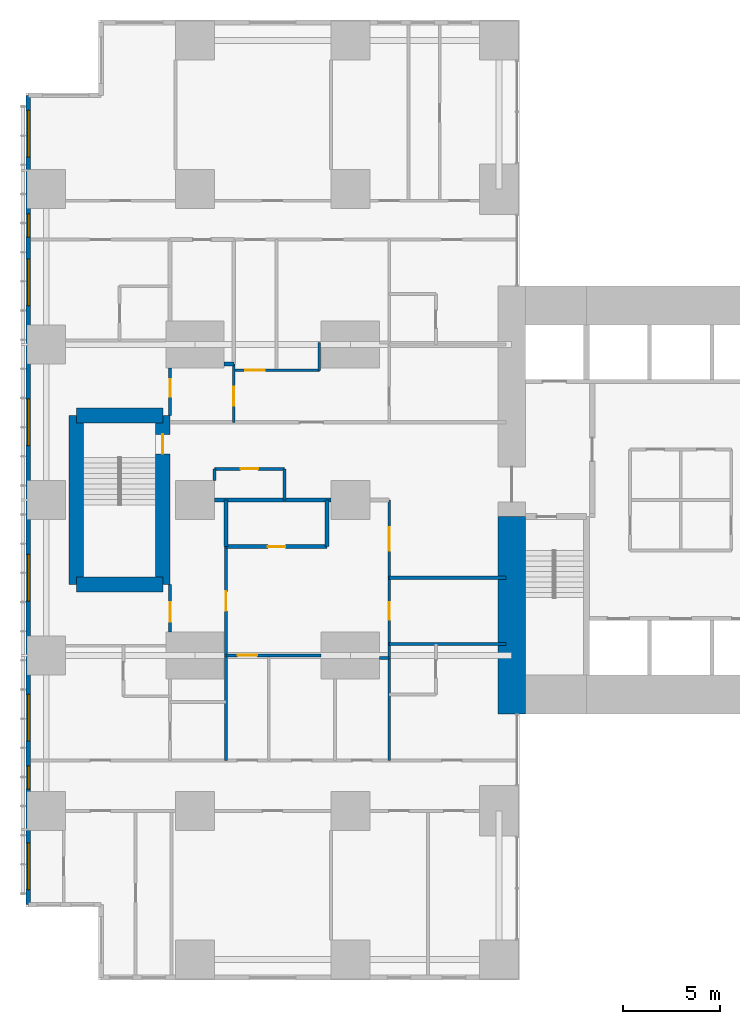
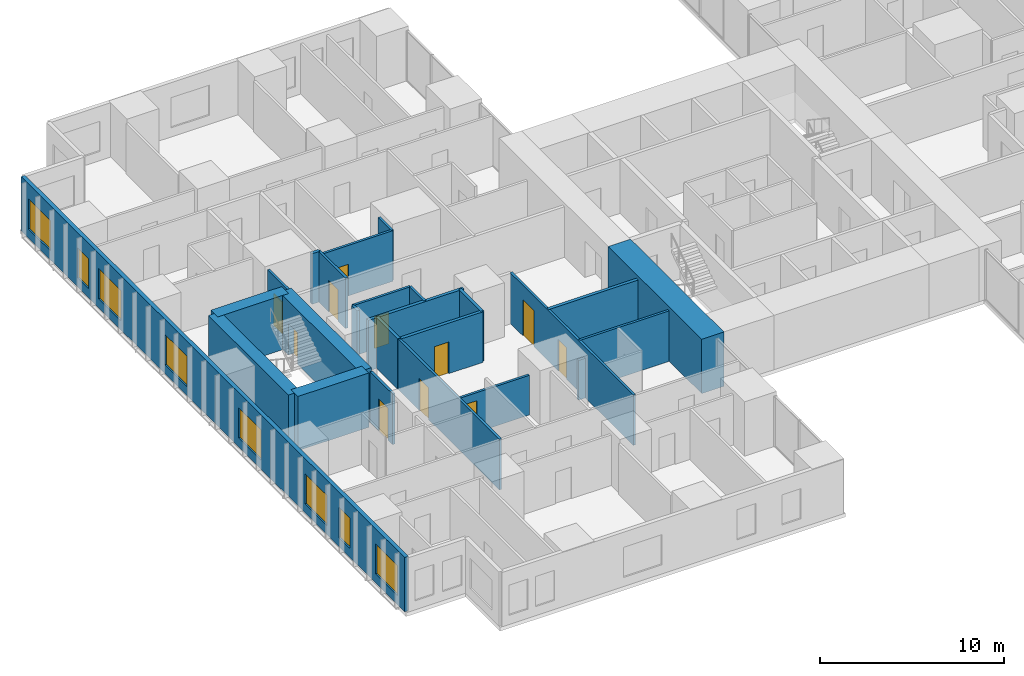
# One storey, part 13 of 20: 25 walls, 11 doors, 8 windows, 19 openings.
"""IFC4 building model written with IfcOpenShell, lengths in metres."""

from ifc_helpers import new_model, si_unit, direction, frame, frame_2d, origin, place, context, subcontext, project, spatial, rectangle, extrude, material, layer, layer_set, type_object, element, fill, save


model = new_model("IFC4")

# Units and contexts
model_context = context("Model", 3, precision=1e-05, world=origin(), true_north=direction((0.0, 1.0)))
body_context = subcontext(model_context, "Body", "Model", "MODEL_VIEW")
ifc_project = project(units=[si_unit("LENGTHUNIT", "METRE"), si_unit("AREAUNIT", "SQUARE_METRE"), si_unit("VOLUMEUNIT", "CUBIC_METRE"), si_unit("PLANEANGLEUNIT", "RADIAN"), si_unit("MASSUNIT", "GRAM", prefix="KILO")], contexts=[model_context])

# Site, building, storey
site_placement = place(None, origin())
site = spatial("IfcSite", under=ifc_project, at=site_placement, CompositionType="ELEMENT")
building_placement = place(site_placement, origin())
building = spatial("IfcBuilding", under=site, at=building_placement, Name="Cleftline Residences", CompositionType="ELEMENT")
storey_placement = place(building_placement, frame((0.0, 0.0, 80.0)))
storey = spatial("IfcBuildingStorey", under=building, at=storey_placement, Name="L20", CompositionType="ELEMENT", Elevation=80.0)

# Wall
ifc_material_1 = material(Name="Concrete B70", Category="concrete")
ifc_layer_1 = layer(ifc_material_1, 1.39990234375)
ifc_layer_set_1 = layer_set([ifc_layer_1], Name="CORE WALL 1400")
wall_type_1 = type_object("IfcWallType", Name="CORE WALL 1400", PredefinedType="SHEAR", material=ifc_layer_set_1)
wall_1_placement = place(storey_placement, frame((24.300048828125, 13.0, 0.0), z_axis=(0.0, 0.0, 1.0), x_axis=(0.0, 1.0, 0.0)))
element("IfcWall", 1, at=wall_1_placement, inside=storey, type_object=wall_type_1, Name="Core wall W0", PredefinedType="SHEAR", context=body_context, shape_type="SweptSolid", body=[
    extrude(rectangle(XDim=10.14990234375, YDim=1.39990234375, at=frame_2d((5.074951171875, 0.0))), origin(), (0.0, 0.0, 1.0), 3.60009765625),
])

# Wall, openings, windows
ifc_material_2 = material(Name="Rendered reinforced concrete blockwork", Category="masonry")
ifc_layer_2 = layer(ifc_material_2, 0.25)
ifc_layer_set_2 = layer_set([ifc_layer_2], Name="EXTERNAL WALL 250")
wall_type_2 = type_object("IfcWallType", Name="EXTERNAL WALL 250", PredefinedType="SOLIDWALL", material=ifc_layer_set_2)
wall_2_placement = place(storey_placement, frame((-0.574951171875, 44.824951171875, 0.0), z_axis=(0.0, 0.0, 1.0), x_axis=(0.0, -1.0, 0.0)))
wall_2 = element("IfcWall", 2, at=wall_2_placement, inside=storey, type_object=wall_type_2, Name="External wall", PredefinedType="SOLIDWALL", context=body_context, shape_type="SweptSolid", body=[
    extrude(rectangle(XDim=41.64990234375, YDim=0.25, at=frame_2d((20.824951171875, 0.0))), origin(), (0.0, 0.0, 1.0), 3.60009765625),
])
opening_1_placement = place(wall_2_placement, frame((0.77490234375, 0.0, 0.60009765625)))
opening_1 = element("IfcOpeningElement", 3, at=opening_1_placement, cuts=wall_2, Name="Opening W6", PredefinedType="OPENING", context=body_context, shape_type="SweptSolid", body=[
    extrude(rectangle(XDim=2.39990234375, YDim=2.0, at=frame_2d((1.199951171875, 1.0))), frame((0.0, 0.135009765625, 0.0), z_axis=(0.0, -1.0, 0.0), x_axis=(1.0, 0.0, 0.0)), (0.0, 0.0, 1.0), 0.27001953125),
])
opening_2_placement = place(wall_2_placement, frame((6.10009765625, 0.0, 0.60009765625)))
opening_2 = element("IfcOpeningElement", 4, at=opening_2_placement, cuts=wall_2, Name="Opening W8", PredefinedType="OPENING", context=body_context, shape_type="SweptSolid", body=[
    extrude(rectangle(XDim=1.199951171875, YDim=2.0, at=frame_2d((0.60009765625, 1.0))), frame((0.0, 0.135009765625, 0.0), z_axis=(0.0, -1.0, 0.0), x_axis=(1.0, 0.0, 0.0)), (0.0, 0.0, 1.0), 0.27001953125),
])
opening_3_placement = place(wall_2_placement, frame((8.425048828125, 0.0, 0.60009765625)))
opening_3 = element("IfcOpeningElement", 5, at=opening_3_placement, cuts=wall_2, Name="Opening W6", PredefinedType="OPENING", context=body_context, shape_type="SweptSolid", body=[
    extrude(rectangle(XDim=2.39990234375, YDim=2.0, at=frame_2d((1.199951171875, 1.0))), frame((0.0, 0.135009765625, 0.0), z_axis=(0.0, -1.0, 0.0), x_axis=(1.0, 0.0, 0.0)), (0.0, 0.0, 1.0), 0.27001953125),
])
opening_4_placement = place(wall_2_placement, frame((15.625, 0.0, 0.60009765625)))
opening_4 = element("IfcOpeningElement", 6, at=opening_4_placement, cuts=wall_2, Name="Opening W6", PredefinedType="OPENING", context=body_context, shape_type="SweptSolid", body=[
    extrude(rectangle(XDim=2.39990234375, YDim=2.0, at=frame_2d((1.199951171875, 1.0))), frame((0.0, 0.135009765625, 0.0), z_axis=(0.0, -1.0, 0.0), x_axis=(1.0, 0.0, 0.0)), (0.0, 0.0, 1.0), 0.27001953125),
])
opening_5_placement = place(wall_2_placement, frame((23.625, 0.0, 0.60009765625)))
opening_5 = element("IfcOpeningElement", 7, at=opening_5_placement, cuts=wall_2, Name="Opening W6", PredefinedType="OPENING", context=body_context, shape_type="SweptSolid", body=[
    extrude(rectangle(XDim=2.39990234375, YDim=2.0, at=frame_2d((1.199951171875, 1.0))), frame((0.0, 0.135009765625, 0.0), z_axis=(0.0, -1.0, 0.0), x_axis=(1.0, 0.0, 0.0)), (0.0, 0.0, 1.0), 0.27001953125),
])
opening_6_placement = place(wall_2_placement, frame((30.824951171875, 0.0, 0.60009765625)))
opening_6 = element("IfcOpeningElement", 8, at=opening_6_placement, cuts=wall_2, Name="Opening W6", PredefinedType="OPENING", context=body_context, shape_type="SweptSolid", body=[
    extrude(rectangle(XDim=2.39990234375, YDim=2.0, at=frame_2d((1.199951171875, 1.0))), frame((0.0, 0.135009765625, 0.0), z_axis=(0.0, -1.0, 0.0), x_axis=(1.0, 0.0, 0.0)), (0.0, 0.0, 1.0), 0.27001953125),
])
opening_7_placement = place(wall_2_placement, frame((34.5, 0.0, 0.60009765625)))
opening_7 = element("IfcOpeningElement", 9, at=opening_7_placement, cuts=wall_2, Name="Opening W8", PredefinedType="OPENING", context=body_context, shape_type="SweptSolid", body=[
    extrude(rectangle(XDim=1.199951171875, YDim=2.0, at=frame_2d((0.60009765625, 1.0))), frame((0.0, 0.135009765625, 0.0), z_axis=(0.0, -1.0, 0.0), x_axis=(1.0, 0.0, 0.0)), (0.0, 0.0, 1.0), 0.27001953125),
])
opening_8_placement = place(wall_2_placement, frame((38.47509765625, 0.0, 0.60009765625)))
opening_8 = element("IfcOpeningElement", 10, at=opening_8_placement, cuts=wall_2, Name="Opening W6", PredefinedType="OPENING", context=body_context, shape_type="SweptSolid", body=[
    extrude(rectangle(XDim=2.39990234375, YDim=2.0, at=frame_2d((1.199951171875, 1.0))), frame((0.0, 0.135009765625, 0.0), z_axis=(0.0, -1.0, 0.0), x_axis=(1.0, 0.0, 0.0)), (0.0, 0.0, 1.0), 0.27001953125),
])
ifc_material_3 = material(Name="Aluminium frame, clear double glazing", Category="aluminium")
window_type_1 = type_object("IfcWindowType", Name="WINDOW 1200X2000", PartitioningType="DOUBLE_PANEL_VERTICAL", PredefinedType="WINDOW", material=ifc_material_3)
window_1_placement = place(opening_2_placement, origin())
window_1 = element("IfcWindow", 11, at=window_1_placement, inside=storey, type_object=window_type_1, Name="Window", OverallHeight=2.0, OverallWidth=1.199951171875, PartitioningType="SINGLE_PANEL", PredefinedType="WINDOW", context=body_context, shape_type="SweptSolid", body=[
    extrude(rectangle(XDim=1.199951171875, YDim=2.0, at=frame_2d((0.60009765625, 1.0))), frame((0.0, 0.030029296875, 0.0), z_axis=(0.0, -1.0, 0.0), x_axis=(1.0, 0.0, 0.0)), (0.0, 0.0, 1.0), 0.06005859375),
])
fill(opening_2, window_1)
window_2_placement = place(opening_7_placement, origin())
window_2 = element("IfcWindow", 12, at=window_2_placement, inside=storey, type_object=window_type_1, Name="Window", OverallHeight=2.0, OverallWidth=1.199951171875, PartitioningType="SINGLE_PANEL", PredefinedType="WINDOW", context=body_context, shape_type="SweptSolid", body=[
    extrude(rectangle(XDim=1.199951171875, YDim=2.0, at=frame_2d((0.60009765625, 1.0))), frame((0.0, 0.030029296875, 0.0), z_axis=(0.0, -1.0, 0.0), x_axis=(1.0, 0.0, 0.0)), (0.0, 0.0, 1.0), 0.06005859375),
])
fill(opening_7, window_2)
ifc_material_4 = material(Name="Aluminium frame, clear double glazing", Category="aluminium")
window_type_2 = type_object("IfcWindowType", Name="WINDOW 2400X2000", PartitioningType="DOUBLE_PANEL_VERTICAL", PredefinedType="WINDOW", material=ifc_material_4)
window_3_placement = place(opening_1_placement, origin())
window_3 = element("IfcWindow", 13, at=window_3_placement, inside=storey, type_object=window_type_2, Name="Window", OverallHeight=2.0, OverallWidth=2.39990234375, PartitioningType="SINGLE_PANEL", PredefinedType="WINDOW", context=body_context, shape_type="SweptSolid", body=[
    extrude(rectangle(XDim=2.39990234375, YDim=2.0, at=frame_2d((1.199951171875, 1.0))), frame((0.0, 0.030029296875, 0.0), z_axis=(0.0, -1.0, 0.0), x_axis=(1.0, 0.0, 0.0)), (0.0, 0.0, 1.0), 0.06005859375),
])
fill(opening_1, window_3)
window_4_placement = place(opening_3_placement, origin())
window_4 = element("IfcWindow", 14, at=window_4_placement, inside=storey, type_object=window_type_2, Name="Window", OverallHeight=2.0, OverallWidth=2.39990234375, PartitioningType="SINGLE_PANEL", PredefinedType="WINDOW", context=body_context, shape_type="SweptSolid", body=[
    extrude(rectangle(XDim=2.39990234375, YDim=2.0, at=frame_2d((1.199951171875, 1.0))), frame((0.0, 0.030029296875, 0.0), z_axis=(0.0, -1.0, 0.0), x_axis=(1.0, 0.0, 0.0)), (0.0, 0.0, 1.0), 0.06005859375),
])
fill(opening_3, window_4)
window_5_placement = place(opening_4_placement, origin())
window_5 = element("IfcWindow", 15, at=window_5_placement, inside=storey, type_object=window_type_2, Name="Window", OverallHeight=2.0, OverallWidth=2.39990234375, PartitioningType="SINGLE_PANEL", PredefinedType="WINDOW", context=body_context, shape_type="SweptSolid", body=[
    extrude(rectangle(XDim=2.39990234375, YDim=2.0, at=frame_2d((1.199951171875, 1.0))), frame((0.0, 0.030029296875, 0.0), z_axis=(0.0, -1.0, 0.0), x_axis=(1.0, 0.0, 0.0)), (0.0, 0.0, 1.0), 0.06005859375),
])
fill(opening_4, window_5)
window_6_placement = place(opening_5_placement, origin())
window_6 = element("IfcWindow", 16, at=window_6_placement, inside=storey, type_object=window_type_2, Name="Window", OverallHeight=2.0, OverallWidth=2.39990234375, PartitioningType="SINGLE_PANEL", PredefinedType="WINDOW", context=body_context, shape_type="SweptSolid", body=[
    extrude(rectangle(XDim=2.39990234375, YDim=2.0, at=frame_2d((1.199951171875, 1.0))), frame((0.0, 0.030029296875, 0.0), z_axis=(0.0, -1.0, 0.0), x_axis=(1.0, 0.0, 0.0)), (0.0, 0.0, 1.0), 0.06005859375),
])
fill(opening_5, window_6)
window_7_placement = place(opening_6_placement, origin())
window_7 = element("IfcWindow", 17, at=window_7_placement, inside=storey, type_object=window_type_2, Name="Window", OverallHeight=2.0, OverallWidth=2.39990234375, PartitioningType="SINGLE_PANEL", PredefinedType="WINDOW", context=body_context, shape_type="SweptSolid", body=[
    extrude(rectangle(XDim=2.39990234375, YDim=2.0, at=frame_2d((1.199951171875, 1.0))), frame((0.0, 0.030029296875, 0.0), z_axis=(0.0, -1.0, 0.0), x_axis=(1.0, 0.0, 0.0)), (0.0, 0.0, 1.0), 0.06005859375),
])
fill(opening_6, window_7)
window_8_placement = place(opening_8_placement, origin())
window_8 = element("IfcWindow", 18, at=window_8_placement, inside=storey, type_object=window_type_2, Name="Window", OverallHeight=2.0, OverallWidth=2.39990234375, PartitioningType="SINGLE_PANEL", PredefinedType="WINDOW", context=body_context, shape_type="SweptSolid", body=[
    extrude(rectangle(XDim=2.39990234375, YDim=2.0, at=frame_2d((1.199951171875, 1.0))), frame((0.0, 0.030029296875, 0.0), z_axis=(0.0, -1.0, 0.0), x_axis=(1.0, 0.0, 0.0)), (0.0, 0.0, 1.0), 0.06005859375),
])
fill(opening_8, window_8)

# Wall
ifc_material_5 = material(Name="Concrete blockwork, fire rated", Category="masonry")
ifc_layer_3 = layer(ifc_material_5, 0.199951171875)
ifc_layer_set_3 = layer_set([ifc_layer_3], Name="FIRE WALL 200")
wall_type_3 = type_object("IfcWallType", Name="FIRE WALL 200", PredefinedType="PARTITIONING", material=ifc_layer_set_3)
wall_3_placement = place(storey_placement, frame((18.0, 20.0, 0.0), z_axis=(0.0, 0.0, 1.0), x_axis=(1.0, 0.0, 0.0)))
element("IfcWall", 19, at=wall_3_placement, inside=storey, type_object=wall_type_3, Name="Fire separating wall", PredefinedType="PARTITIONING", context=body_context, shape_type="SweptSolid", body=[
    extrude(rectangle(XDim=6.0, YDim=0.199951171875, at=frame_2d((3.0, 0.0))), origin(), (0.0, 0.0, 1.0), 3.35009765625),
])

# Wall, opening, door
wall_4_placement = place(storey_placement, frame((9.60009765625, 21.60009765625, 0.0), z_axis=(0.0, 0.0, 1.0), x_axis=(1.0, 0.0, 0.0)))
wall_4 = element("IfcWall", 20, at=wall_4_placement, inside=storey, type_object=wall_type_3, Name="Fire separating wall", PredefinedType="PARTITIONING", context=body_context, shape_type="SweptSolid", body=[
    extrude(rectangle(XDim=5.199951171875, YDim=0.199951171875, at=frame_2d((2.60009765625, 0.0))), origin(), (0.0, 0.0, 1.0), 3.35009765625),
])
opening_9_placement = place(wall_4_placement, frame((2.14990234375, 0.0, 0.0)))
opening_9 = element("IfcOpeningElement", 21, at=opening_9_placement, cuts=wall_4, Name="Opening D1F30", PredefinedType="OPENING", context=body_context, shape_type="SweptSolid", body=[
    extrude(rectangle(XDim=0.89990234375, YDim=2.10009765625, at=frame_2d((0.449951171875, 1.050048828125))), frame((0.0, 0.10986328125, 0.0), z_axis=(0.0, -1.0, 0.0), x_axis=(1.0, 0.0, 0.0)), (0.0, 0.0, 1.0), 0.219970703125),
])
ifc_material_6 = material(Name="Timber veneer on solid core", Category="wood")
door_type_1 = type_object("IfcDoorType", Name="DOOR 900X2100 EI 30", OperationType="SINGLE_SWING_LEFT", PredefinedType="DOOR", material=ifc_material_6)
door_1_placement = place(opening_9_placement, origin())
door_1 = element("IfcDoor", 22, at=door_1_placement, inside=storey, type_object=door_type_1, Name="Door to cloakroom wc", OperationType="SINGLE_SWING_LEFT", OverallHeight=2.10009765625, OverallWidth=0.89990234375, PredefinedType="DOOR", context=body_context, shape_type="SweptSolid", body=[
    extrude(rectangle(XDim=0.89990234375, YDim=2.10009765625, at=frame_2d((0.449951171875, 1.050048828125))), frame((0.0, 0.02490234375, 0.0), z_axis=(0.0, -1.0, 0.0), x_axis=(1.0, 0.0, 0.0)), (0.0, 0.0, 1.0), 0.050048828125),
])
fill(opening_9, door_1)

# Walls
wall_5_placement = place(storey_placement, frame((9.0, 24.0, 0.0), z_axis=(0.0, 0.0, 1.0), x_axis=(1.0, 0.0, 0.0)))
element("IfcWall", 23, at=wall_5_placement, inside=storey, type_object=wall_type_3, Name="Fire separating wall", PredefinedType="PARTITIONING", context=body_context, shape_type="SweptSolid", body=[
    extrude(rectangle(XDim=6.0, YDim=0.199951171875, at=frame_2d((3.0, 0.0))), origin(), (0.0, 0.0, 1.0), 3.35009765625),
])
wall_6_placement = place(storey_placement, frame((9.5, 31.0, 0.0), z_axis=(0.0, 0.0, 1.0), x_axis=(1.0, 0.0, 0.0)))
element("IfcWall", 24, at=wall_6_placement, inside=storey, type_object=wall_type_3, Name="Fire separating wall", PredefinedType="PARTITIONING", context=body_context, shape_type="SweptSolid", body=[
    extrude(rectangle(XDim=0.5, YDim=0.199951171875, at=frame_2d((0.25, 0.0))), origin(), (0.0, 0.0, 1.0), 3.35009765625),
])
for number, where, z_axis, x_axis, name in (
    (25, (9.60009765625, 21.60009765625, 0.0), (0.0, 0.0, 1.0), (0.0, 1.0, 0.0), "Fire separating wall"),
    (26, (14.800048828125, 21.60009765625, 0.0), (0.0, 0.0, 1.0), (0.0, 1.0, 0.0), "Fire separating wall"),
):
    element("IfcWall", number, at=place(storey_placement, frame(where, z_axis=z_axis, x_axis=x_axis)), inside=storey, type_object=wall_type_3, Name=name, PredefinedType="PARTITIONING", context=body_context, shape_type="SweptSolid", body=[
        extrude(rectangle(XDim=2.39990234375, YDim=0.199951171875, at=frame_2d((1.199951171875, 0.0))), origin(), (0.0, 0.0, 1.0), 3.35009765625),
    ])
ifc_material_7 = material(Name="Gypsum board on steel studs", Category="steel")
ifc_layer_4 = layer(ifc_material_7, 0.14990234375)
ifc_layer_set_4 = layer_set([ifc_layer_4], Name="PARTITION 150")
wall_type_4 = type_object("IfcWallType", Name="PARTITION 150", PredefinedType="PARTITIONING", material=ifc_layer_set_4)
wall_7_placement = place(storey_placement, frame((17.5, 15.875, 0.0), z_axis=(0.0, 0.0, 1.0), x_axis=(1.0, 0.0, 0.0)))
element("IfcWall", 27, at=wall_7_placement, inside=storey, type_object=wall_type_4, Name="Partition", PredefinedType="PARTITIONING", context=body_context, shape_type="SweptSolid", body=[
    extrude(rectangle(XDim=0.5, YDim=0.14990234375, at=frame_2d((0.25, 0.0))), origin(), (0.0, 0.0, 1.0), 2.634033203125),
])

# Wall, opening, door
wall_8_placement = place(storey_placement, frame((9.60009765625, 16.0, 0.0), z_axis=(0.0, 0.0, 1.0), x_axis=(1.0, 0.0, 0.0)))
wall_8 = element("IfcWall", 28, at=wall_8_placement, inside=storey, type_object=wall_type_4, Name="Partition", PredefinedType="PARTITIONING", context=body_context, shape_type="SweptSolid", body=[
    extrude(rectangle(XDim=4.89990234375, YDim=0.14990234375, at=frame_2d((2.449951171875, 0.0))), origin(), (0.0, 0.0, 1.0), 2.634033203125),
])
opening_10_placement = place(wall_8_placement, frame((0.60009765625, 0.0, 0.0)))
opening_10 = element("IfcOpeningElement", 29, at=opening_10_placement, cuts=wall_8, Name="Opening D2", PredefinedType="OPENING", context=body_context, shape_type="SweptSolid", body=[
    extrude(rectangle(XDim=1.0, YDim=2.10009765625, at=frame_2d((0.5, 1.050048828125))), frame((0.0, 0.0849609375, 0.0), z_axis=(0.0, -1.0, 0.0), x_axis=(1.0, 0.0, 0.0)), (0.0, 0.0, 1.0), 0.169921875),
])
ifc_material_8 = material(Name="Timber veneer on solid core", Category="wood")
door_type_2 = type_object("IfcDoorType", Name="DOOR 1000X2100", OperationType="SINGLE_SWING_LEFT", PredefinedType="DOOR", material=ifc_material_8)
door_2_placement = place(opening_10_placement, origin())
door_2 = element("IfcDoor", 30, at=door_2_placement, inside=storey, type_object=door_type_2, Name="Door to residence passage", OperationType="SINGLE_SWING_RIGHT", OverallHeight=2.10009765625, OverallWidth=1.0, PredefinedType="DOOR", context=body_context, shape_type="SweptSolid", body=[
    extrude(rectangle(XDim=1.0, YDim=2.10009765625, at=frame_2d((0.5, 1.050048828125))), frame((0.0, 0.02490234375, 0.0), z_axis=(0.0, -1.0, 0.0), x_axis=(1.0, 0.0, 0.0)), (0.0, 0.0, 1.0), 0.050048828125),
])
fill(opening_10, door_2)

# Wall
wall_9_placement = place(storey_placement, frame((18.0, 16.60009765625, 0.0), z_axis=(0.0, 0.0, 1.0), x_axis=(1.0, 0.0, 0.0)))
element("IfcWall", 31, at=wall_9_placement, inside=storey, type_object=wall_type_4, Name="Partition", PredefinedType="PARTITIONING", context=body_context, shape_type="SweptSolid", body=[
    extrude(rectangle(XDim=6.0, YDim=0.14990234375, at=frame_2d((3.0, 0.0))), origin(), (0.0, 0.0, 1.0), 3.35009765625),
])

# Wall, opening, door
wall_10_placement = place(storey_placement, frame((9.0, 25.60009765625, 0.0), z_axis=(0.0, 0.0, 1.0), x_axis=(1.0, 0.0, 0.0)))
wall_10 = element("IfcWall", 32, at=wall_10_placement, inside=storey, type_object=wall_type_4, Name="Partition", PredefinedType="PARTITIONING", context=body_context, shape_type="SweptSolid", body=[
    extrude(rectangle(XDim=3.60009765625, YDim=0.14990234375, at=frame_2d((1.800048828125, 0.0))), origin(), (0.0, 0.0, 1.0), 3.35009765625),
])
opening_11_placement = place(wall_10_placement, frame((1.35009765625, 0.0, 0.0)))
opening_11 = element("IfcOpeningElement", 33, at=opening_11_placement, cuts=wall_10, Name="Opening D1", PredefinedType="OPENING", context=body_context, shape_type="SweptSolid", body=[
    extrude(rectangle(XDim=0.89990234375, YDim=2.10009765625, at=frame_2d((0.449951171875, 1.050048828125))), frame((0.0, 0.0849609375, 0.0), z_axis=(0.0, -1.0, 0.0), x_axis=(1.0, 0.0, 0.0)), (0.0, 0.0, 1.0), 0.169921875),
])
ifc_material_9 = material(Name="Timber veneer on solid core", Category="wood")
door_type_3 = type_object("IfcDoorType", Name="DOOR 900X2100", OperationType="SINGLE_SWING_LEFT", PredefinedType="DOOR", material=ifc_material_9)
door_3_placement = place(opening_11_placement, origin())
door_3 = element("IfcDoor", 34, at=door_3_placement, inside=storey, type_object=door_type_3, Name="Door to residents' storage room", OperationType="SINGLE_SWING_LEFT", OverallHeight=2.10009765625, OverallWidth=0.89990234375, PredefinedType="DOOR", context=body_context, shape_type="SweptSolid", body=[
    extrude(rectangle(XDim=0.89990234375, YDim=2.10009765625, at=frame_2d((0.449951171875, 1.050048828125))), frame((0.0, 0.02490234375, 0.0), z_axis=(0.0, -1.0, 0.0), x_axis=(1.0, 0.0, 0.0)), (0.0, 0.0, 1.0), 0.050048828125),
])
fill(opening_11, door_3)

wall_11_placement = place(storey_placement, frame((10.0, 30.675048828125, 0.0), z_axis=(0.0, 0.0, 1.0), x_axis=(1.0, 0.0, 0.0)))
wall_11 = element("IfcWall", 35, at=wall_11_placement, inside=storey, type_object=wall_type_4, Name="Partition", PredefinedType="PARTITIONING", context=body_context, shape_type="SweptSolid", body=[
    extrude(rectangle(XDim=4.39990234375, YDim=0.14990234375, at=frame_2d((2.199951171875, 0.0))), origin(), (0.0, 0.0, 1.0), 3.35009765625),
])
opening_12_placement = place(wall_11_placement, frame((0.60009765625, 0.0, 0.0)))
opening_12 = element("IfcOpeningElement", 36, at=opening_12_placement, cuts=wall_11, Name="Opening D2", PredefinedType="OPENING", context=body_context, shape_type="SweptSolid", body=[
    extrude(rectangle(XDim=1.0, YDim=2.10009765625, at=frame_2d((0.5, 1.050048828125))), frame((0.0, 0.0849609375, 0.0), z_axis=(0.0, -1.0, 0.0), x_axis=(1.0, 0.0, 0.0)), (0.0, 0.0, 1.0), 0.169921875),
])
door_4_placement = place(opening_12_placement, origin())
door_4 = element("IfcDoor", 37, at=door_4_placement, inside=storey, type_object=door_type_2, Name="Door to residence passage", OperationType="SINGLE_SWING_RIGHT", OverallHeight=2.10009765625, OverallWidth=1.0, PredefinedType="DOOR", context=body_context, shape_type="SweptSolid", body=[
    extrude(rectangle(XDim=1.0, YDim=2.10009765625, at=frame_2d((0.5, 1.050048828125))), frame((0.0, 0.02490234375, 0.0), z_axis=(0.0, -1.0, 0.0), x_axis=(1.0, 0.0, 0.0)), (0.0, 0.0, 1.0), 0.050048828125),
])
fill(opening_12, door_4)

wall_12_placement = place(storey_placement, frame((6.72509765625, 17.199951171875, 0.0), z_axis=(0.0, 0.0, 1.0), x_axis=(0.0, 1.0, 0.0)))
wall_12 = element("IfcWall", 38, at=wall_12_placement, inside=storey, type_object=wall_type_4, Name="Partition", PredefinedType="PARTITIONING", context=body_context, shape_type="SweptSolid", body=[
    extrude(rectangle(XDim=2.449951171875, YDim=0.14990234375, at=frame_2d((1.22509765625, 0.0))), origin(), (0.0, 0.0, 1.0), 3.35009765625),
])
opening_13_placement = place(wall_12_placement, frame((0.53759765625, 0.0, 0.0)))
opening_13 = element("IfcOpeningElement", 39, at=opening_13_placement, cuts=wall_12, Name="Opening D2", PredefinedType="OPENING", context=body_context, shape_type="SweptSolid", body=[
    extrude(rectangle(XDim=1.0, YDim=2.10009765625, at=frame_2d((0.5, 1.050048828125))), frame((0.0, 0.0849609375, 0.0), z_axis=(0.0, -1.0, 0.0), x_axis=(1.0, 0.0, 0.0)), (0.0, 0.0, 1.0), 0.169921875),
])
door_5_placement = place(opening_13_placement, origin())
door_5 = element("IfcDoor", 40, at=door_5_placement, inside=storey, type_object=door_type_2, Name="Door to altar room", OperationType="SINGLE_SWING_RIGHT", OverallHeight=2.10009765625, OverallWidth=1.0, PredefinedType="DOOR", context=body_context, shape_type="SweptSolid", body=[
    extrude(rectangle(XDim=1.0, YDim=2.10009765625, at=frame_2d((0.5, 1.050048828125))), frame((0.0, 0.02490234375, 0.0), z_axis=(0.0, -1.0, 0.0), x_axis=(1.0, 0.0, 0.0)), (0.0, 0.0, 1.0), 0.050048828125),
])
fill(opening_13, door_5)

wall_13_placement = place(storey_placement, frame((6.72509765625, 28.35009765625, 0.0), z_axis=(0.0, 0.0, 1.0), x_axis=(0.0, 1.0, 0.0)))
wall_13 = element("IfcWall", 41, at=wall_13_placement, inside=storey, type_object=wall_type_4, Name="Partition", PredefinedType="PARTITIONING", context=body_context, shape_type="SweptSolid", body=[
    extrude(rectangle(XDim=2.449951171875, YDim=0.14990234375, at=frame_2d((1.22509765625, 0.0))), origin(), (0.0, 0.0, 1.0), 3.35009765625),
])
opening_14_placement = place(wall_13_placement, frame((0.96240234375, 0.0, 0.0)))
opening_14 = element("IfcOpeningElement", 42, at=opening_14_placement, cuts=wall_13, Name="Opening D1", PredefinedType="OPENING", context=body_context, shape_type="SweptSolid", body=[
    extrude(rectangle(XDim=0.89990234375, YDim=2.10009765625, at=frame_2d((0.449951171875, 1.050048828125))), frame((0.0, 0.0849609375, 0.0), z_axis=(0.0, -1.0, 0.0), x_axis=(1.0, 0.0, 0.0)), (0.0, 0.0, 1.0), 0.169921875),
])
door_6_placement = place(opening_14_placement, origin())
door_6 = element("IfcDoor", 43, at=door_6_placement, inside=storey, type_object=door_type_3, Name="Door to drying loggia", OperationType="SINGLE_SWING_LEFT", OverallHeight=2.10009765625, OverallWidth=0.89990234375, PredefinedType="DOOR", context=body_context, shape_type="SweptSolid", body=[
    extrude(rectangle(XDim=0.89990234375, YDim=2.10009765625, at=frame_2d((0.449951171875, 1.050048828125))), frame((0.0, 0.02490234375, 0.0), z_axis=(0.0, -1.0, 0.0), x_axis=(1.0, 0.0, 0.0)), (0.0, 0.0, 1.0), 0.050048828125),
])
fill(opening_14, door_6)

# Wall
wall_14_placement = place(storey_placement, frame((9.0, 25.0, 0.0), z_axis=(0.0, 0.0, 1.0), x_axis=(0.0, 1.0, 0.0)))
element("IfcWall", 44, at=wall_14_placement, inside=storey, type_object=wall_type_4, Name="Partition", PredefinedType="PARTITIONING", context=body_context, shape_type="SweptSolid", body=[
    extrude(rectangle(XDim=0.60009765625, YDim=0.14990234375, at=frame_2d((0.300048828125, 0.0))), origin(), (0.0, 0.0, 1.0), 3.35009765625),
])

# Wall, opening, door
wall_15_placement = place(storey_placement, frame((9.60009765625, 10.60009765625, 0.0), z_axis=(0.0, 0.0, 1.0), x_axis=(0.0, 1.0, 0.0)))
wall_15 = element("IfcWall", 45, at=wall_15_placement, inside=storey, type_object=wall_type_4, Name="Partition", PredefinedType="PARTITIONING", context=body_context, shape_type="SweptSolid", body=[
    extrude(rectangle(XDim=11.0, YDim=0.14990234375, at=frame_2d((5.5, 0.0))), origin(), (0.0, 0.0, 1.0), 3.35009765625),
])
opening_15_placement = place(wall_15_placement, frame((7.699951171875, 0.0, 0.0)))
opening_15 = element("IfcOpeningElement", 46, at=opening_15_placement, cuts=wall_15, Name="Opening D2F30", PredefinedType="OPENING", context=body_context, shape_type="SweptSolid", body=[
    extrude(rectangle(XDim=1.0, YDim=2.10009765625, at=frame_2d((0.5, 1.050048828125))), frame((0.0, 0.0849609375, 0.0), z_axis=(0.0, -1.0, 0.0), x_axis=(1.0, 0.0, 0.0)), (0.0, 0.0, 1.0), 0.169921875),
])
ifc_material_10 = material(Name="Timber veneer on solid core", Category="wood")
door_type_4 = type_object("IfcDoorType", Name="DOOR 1000X2100 EI 30", OperationType="SINGLE_SWING_LEFT", PredefinedType="DOOR", material=ifc_material_10)
door_7_placement = place(opening_15_placement, origin())
door_7 = element("IfcDoor", 47, at=door_7_placement, inside=storey, type_object=door_type_4, Name="Door to residence lobby", OperationType="SINGLE_SWING_LEFT", OverallHeight=2.10009765625, OverallWidth=1.0, PredefinedType="DOOR", context=body_context, shape_type="SweptSolid", body=[
    extrude(rectangle(XDim=1.0, YDim=2.10009765625, at=frame_2d((0.5, 1.050048828125))), frame((0.0, 0.02490234375, 0.0), z_axis=(0.0, -1.0, 0.0), x_axis=(1.0, 0.0, 0.0)), (0.0, 0.0, 1.0), 0.050048828125),
])
fill(opening_15, door_7)

wall_16_placement = place(storey_placement, frame((10.0, 28.0, 0.0), z_axis=(0.0, 0.0, 1.0), x_axis=(0.0, 1.0, 0.0)))
wall_16 = element("IfcWall", 48, at=wall_16_placement, inside=storey, type_object=wall_type_4, Name="Partition", PredefinedType="PARTITIONING", context=body_context, shape_type="SweptSolid", body=[
    extrude(rectangle(XDim=3.0, YDim=0.14990234375, at=frame_2d((1.5, 0.0))), origin(), (0.0, 0.0, 1.0), 3.35009765625),
])
opening_16_placement = place(wall_16_placement, frame((0.83740234375, 0.0, 0.0)))
opening_16 = element("IfcOpeningElement", 49, at=opening_16_placement, cuts=wall_16, Name="Opening D2F30", PredefinedType="OPENING", context=body_context, shape_type="SweptSolid", body=[
    extrude(rectangle(XDim=1.0, YDim=2.10009765625, at=frame_2d((0.5, 1.050048828125))), frame((0.0, 0.0849609375, 0.0), z_axis=(0.0, -1.0, 0.0), x_axis=(1.0, 0.0, 0.0)), (0.0, 0.0, 1.0), 0.169921875),
])
door_8_placement = place(opening_16_placement, origin())
door_8 = element("IfcDoor", 50, at=door_8_placement, inside=storey, type_object=door_type_4, Name="Door to residence lobby", OperationType="SINGLE_SWING_RIGHT", OverallHeight=2.10009765625, OverallWidth=1.0, PredefinedType="DOOR", context=body_context, shape_type="SweptSolid", body=[
    extrude(rectangle(XDim=1.0, YDim=2.10009765625, at=frame_2d((0.5, 1.050048828125))), frame((0.0, 0.02490234375, 0.0), z_axis=(0.0, -1.0, 0.0), x_axis=(1.0, 0.0, 0.0)), (0.0, 0.0, 1.0), 0.050048828125),
])
fill(opening_16, door_8)

# Walls
wall_17_placement = place(storey_placement, frame((12.60009765625, 24.0, 0.0), z_axis=(0.0, 0.0, 1.0), x_axis=(0.0, 1.0, 0.0)))
element("IfcWall", 51, at=wall_17_placement, inside=storey, type_object=wall_type_4, Name="Partition", PredefinedType="PARTITIONING", context=body_context, shape_type="SweptSolid", body=[
    extrude(rectangle(XDim=1.60009765625, YDim=0.14990234375, at=frame_2d((0.800048828125, 0.0))), origin(), (0.0, 0.0, 1.0), 3.35009765625),
])
wall_18_placement = place(storey_placement, frame((14.39990234375, 30.675048828125, 0.0), z_axis=(0.0, 0.0, 1.0), x_axis=(0.0, 1.0, 0.0)))
element("IfcWall", 52, at=wall_18_placement, inside=storey, type_object=wall_type_4, Name="Partition", PredefinedType="PARTITIONING", context=body_context, shape_type="SweptSolid", body=[
    extrude(rectangle(XDim=1.425048828125, YDim=0.14990234375, at=frame_2d((0.71240234375, 0.0))), origin(), (0.0, 0.0, 1.0), 3.35009765625),
])

# Wall, openings, doors
wall_19_placement = place(storey_placement, frame((18.0, 10.60009765625, 0.0), z_axis=(0.0, 0.0, 1.0), x_axis=(0.0, 1.0, 0.0)))
wall_19 = element("IfcWall", 53, at=wall_19_placement, inside=storey, type_object=wall_type_4, Name="Partition", PredefinedType="PARTITIONING", context=body_context, shape_type="SweptSolid", body=[
    extrude(rectangle(XDim=13.39990234375, YDim=0.14990234375, at=frame_2d((6.699951171875, 0.0))), origin(), (0.0, 0.0, 1.0), 3.35009765625),
])
opening_17_placement = place(wall_19_placement, frame((10.800048828125, 0.0, 0.0)))
opening_17 = element("IfcOpeningElement", 54, at=opening_17_placement, cuts=wall_19, Name="Opening D4", PredefinedType="OPENING", context=body_context, shape_type="SweptSolid", body=[
    extrude(rectangle(XDim=1.199951171875, YDim=2.39990234375, at=frame_2d((0.60009765625, 1.199951171875))), frame((0.0, 0.0849609375, 0.0), z_axis=(0.0, -1.0, 0.0), x_axis=(1.0, 0.0, 0.0)), (0.0, 0.0, 1.0), 0.169921875),
])
opening_18_placement = place(wall_19_placement, frame((7.25, 0.0, 0.0)))
opening_18 = element("IfcOpeningElement", 55, at=opening_18_placement, cuts=wall_19, Name="Opening D1F60", PredefinedType="OPENING", context=body_context, shape_type="SweptSolid", body=[
    extrude(rectangle(XDim=0.89990234375, YDim=2.10009765625, at=frame_2d((0.449951171875, 1.050048828125))), frame((0.0, 0.0849609375, 0.0), z_axis=(0.0, -1.0, 0.0), x_axis=(1.0, 0.0, 0.0)), (0.0, 0.0, 1.0), 0.169921875),
])
ifc_material_11 = material(Name="Timber veneer on solid core", Category="wood")
door_type_5 = type_object("IfcDoorType", Name="APARTMENT ENTRANCE DOOR 1200X2400", OperationType="SINGLE_SWING_RIGHT", PredefinedType="DOOR", material=ifc_material_11)
door_9_placement = place(opening_17_placement, origin())
door_9 = element("IfcDoor", 56, at=door_9_placement, inside=storey, type_object=door_type_5, Name="Door to residence entrance foyer", OperationType="SINGLE_SWING_LEFT", OverallHeight=2.39990234375, OverallWidth=1.199951171875, PredefinedType="DOOR", context=body_context, shape_type="SweptSolid", body=[
    extrude(rectangle(XDim=1.199951171875, YDim=2.39990234375, at=frame_2d((0.60009765625, 1.199951171875))), frame((0.0, 0.02490234375, 0.0), z_axis=(0.0, -1.0, 0.0), x_axis=(1.0, 0.0, 0.0)), (0.0, 0.0, 1.0), 0.050048828125),
])
fill(opening_17, door_9)
ifc_material_12 = material(Name="Timber veneer on solid core", Category="wood")
door_type_6 = type_object("IfcDoorType", Name="DOOR 900X2100 EI 60", OperationType="SINGLE_SWING_LEFT", PredefinedType="DOOR", material=ifc_material_12)
door_10_placement = place(opening_18_placement, origin())
door_10 = element("IfcDoor", 57, at=door_10_placement, inside=storey, type_object=door_type_6, Name="Door to drying loggia", OperationType="SINGLE_SWING_LEFT", OverallHeight=2.10009765625, OverallWidth=0.89990234375, PredefinedType="DOOR", context=body_context, shape_type="SweptSolid", body=[
    extrude(rectangle(XDim=0.89990234375, YDim=2.10009765625, at=frame_2d((0.449951171875, 1.050048828125))), frame((0.0, 0.02490234375, 0.0), z_axis=(0.0, -1.0, 0.0), x_axis=(1.0, 0.0, 0.0)), (0.0, 0.0, 1.0), 0.050048828125),
])
fill(opening_18, door_10)

# Wall
ifc_material_13 = material(Name="Concrete B70", Category="concrete")
ifc_layer_5 = layer(ifc_material_13, 0.75)
ifc_layer_set_5 = layer_set([ifc_layer_5], Name="SHEAR WALL 750")
wall_type_5 = type_object("IfcWallType", Name="SHEAR WALL 750", PredefinedType="SHEAR", material=ifc_layer_set_5)
wall_20_placement = place(storey_placement, frame((1.89990234375, 19.64990234375, 0.0), z_axis=(0.0, 0.0, 1.0), x_axis=(1.0, 0.0, 0.0)))
element("IfcWall", 58, at=wall_20_placement, inside=storey, type_object=wall_type_5, Name="Wing shear wall", PredefinedType="SHEAR", context=body_context, shape_type="SweptSolid", body=[
    extrude(rectangle(XDim=4.4501953125, YDim=0.75, at=frame_2d((2.22509765625, 0.0))), origin(), (0.0, 0.0, 1.0), 3.60009765625),
])

# Wall, opening, door
wall_21_placement = place(storey_placement, frame((6.35009765625, 19.64990234375, 0.0), z_axis=(0.0, 0.0, 1.0), x_axis=(0.0, 1.0, 0.0)))
wall_21 = element("IfcWall", 59, at=wall_21_placement, inside=storey, type_object=wall_type_5, Name="Wing shear wall", PredefinedType="SHEAR", context=body_context, shape_type="SweptSolid", body=[
    extrude(rectangle(XDim=8.7001953125, YDim=0.75, at=frame_2d((4.35009765625, 0.0))), origin(), (0.0, 0.0, 1.0), 3.60009765625),
])
opening_19_placement = place(wall_21_placement, frame((6.72509765625, 0.0, 0.0)))
opening_19 = element("IfcOpeningElement", 60, at=opening_19_placement, cuts=wall_21, Name="Opening D5", PredefinedType="OPENING", context=body_context, shape_type="SweptSolid", body=[
    extrude(rectangle(XDim=1.0, YDim=2.10009765625, at=frame_2d((0.5, 1.050048828125))), frame((0.0, 0.385009765625, 0.0), z_axis=(0.0, -1.0, 0.0), x_axis=(1.0, 0.0, 0.0)), (0.0, 0.0, 1.0), 0.77001953125),
])
ifc_material_14 = material(Name="Steel", Category="steel")
door_type_7 = type_object("IfcDoorType", Name="STAIR DOOR 1000X2100", OperationType="SINGLE_SWING_LEFT", PredefinedType="DOOR", material=ifc_material_14)
door_11_placement = place(opening_19_placement, origin())
door_11 = element("IfcDoor", 61, at=door_11_placement, inside=storey, type_object=door_type_7, Name="Stair W door", OperationType="SINGLE_SWING_LEFT", OverallHeight=2.10009765625, OverallWidth=1.0, PredefinedType="DOOR", context=body_context, shape_type="SweptSolid", body=[
    extrude(rectangle(XDim=1.0, YDim=2.10009765625, at=frame_2d((0.5, 1.050048828125))), frame((0.0, 0.02490234375, 0.0), z_axis=(0.0, -1.0, 0.0), x_axis=(1.0, 0.0, 0.0)), (0.0, 0.0, 1.0), 0.050048828125),
])
fill(opening_19, door_11)

# Walls
wall_22_placement = place(storey_placement, frame((6.35009765625, 28.35009765625, 0.0), z_axis=(0.0, 0.0, 1.0), x_axis=(-1.0, 0.0, 0.0)))
element("IfcWall", 62, at=wall_22_placement, inside=storey, type_object=wall_type_5, Name="Wing shear wall", PredefinedType="SHEAR", context=body_context, shape_type="SweptSolid", body=[
    extrude(rectangle(XDim=4.4501953125, YDim=0.75, at=frame_2d((2.22509765625, 0.0))), origin(), (0.0, 0.0, 1.0), 3.60009765625),
])
wall_23_placement = place(storey_placement, frame((1.89990234375, 28.35009765625, 0.0), z_axis=(0.0, 0.0, 1.0), x_axis=(0.0, -1.0, 0.0)))
element("IfcWall", 63, at=wall_23_placement, inside=storey, type_object=wall_type_5, Name="Wing shear wall", PredefinedType="SHEAR", context=body_context, shape_type="SweptSolid", body=[
    extrude(rectangle(XDim=8.7001953125, YDim=0.75, at=frame_2d((4.35009765625, 0.0))), origin(), (0.0, 0.0, 1.0), 3.60009765625),
])

save(model, "model.ifc")
